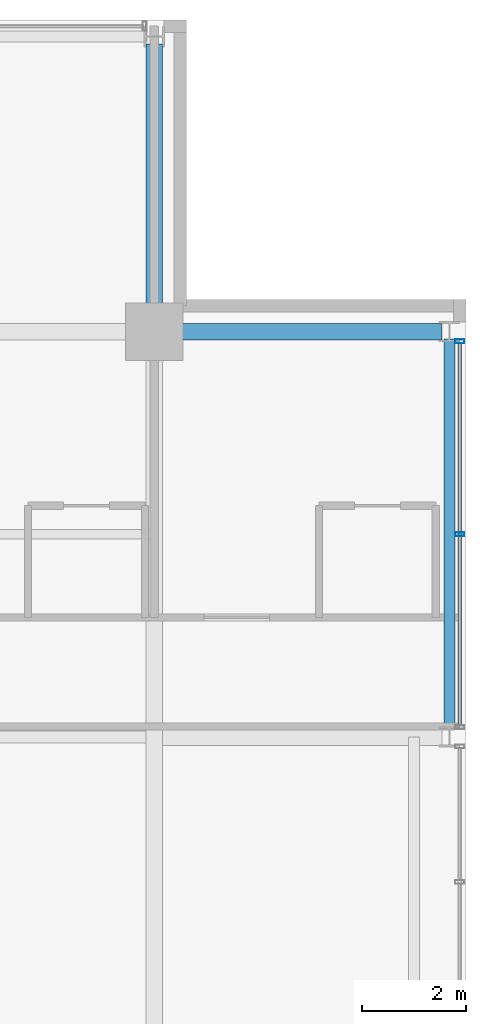
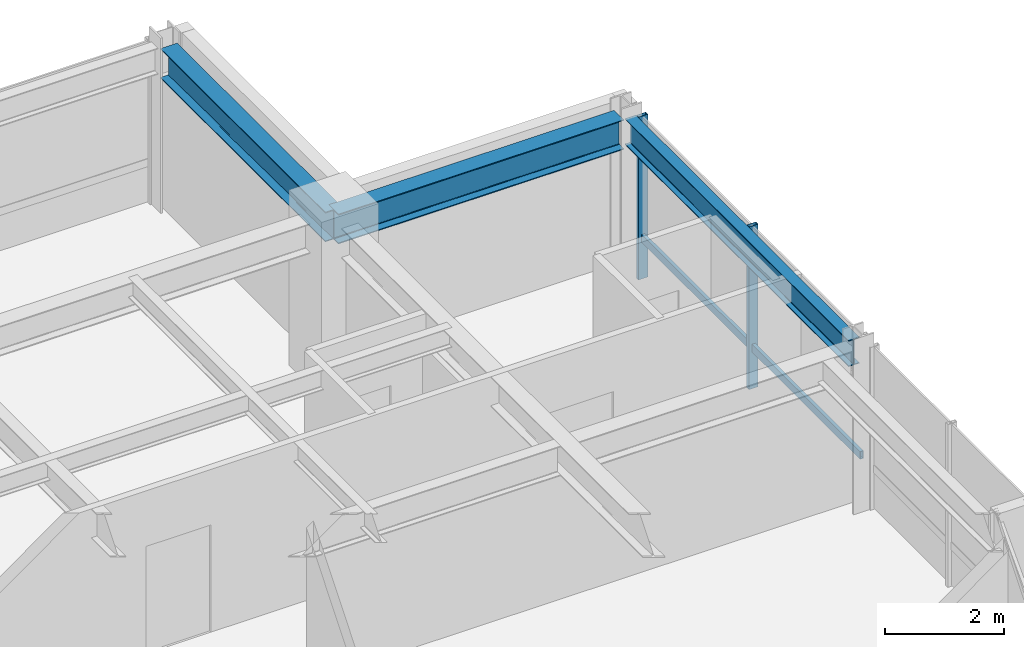
# One storey, part 23 of 32: 3 beams, 3 members, 1 element without a shape of its own.
"""IFC4 building model written with IfcOpenShell, lengths in metres."""

from ifc_helpers import new_model, si_unit, direction, frame, origin, origin_2d, place, context, subcontext, project, spatial, hollow_rectangle, i_section, extrude, material, layer, layer_set, material_profile, profile_set, type_object, element, aggregate, save


model = new_model("IFC4")

# Units and contexts
model_context = context("Model", 3, precision=1e-05, world=origin(), true_north=direction((0.0, 1.0)))
body_context = subcontext(model_context, "Body", "Model", "MODEL_VIEW")
ifc_project = project(units=[si_unit("LENGTHUNIT", "METRE"), si_unit("AREAUNIT", "SQUARE_METRE"), si_unit("VOLUMEUNIT", "CUBIC_METRE"), si_unit("PLANEANGLEUNIT", "RADIAN"), si_unit("MASSUNIT", "GRAM", prefix="KILO")], contexts=[model_context])

# Site, building, storey
site_placement = place(None, origin())
site = spatial("IfcSite", under=ifc_project, at=site_placement, CompositionType="ELEMENT")
building_placement = place(site_placement, origin())
building = spatial("IfcBuilding", under=site, at=building_placement, Name="Drelvath Grand Hotel", CompositionType="ELEMENT")
storey_placement = place(building_placement, frame((0.0, 0.0, 226.699951171875)))
storey = spatial("IfcBuildingStorey", under=building, at=storey_placement, Name="L59", CompositionType="ELEMENT", Elevation=226.699951171875)

# Curtain wall, members
ifc_material_1 = material(Name="Platinum-Mist Anodised Aluminium Frame", Category="aluminium")
ifc_layer = layer(ifc_material_1, 0.199951171875)
ifc_layer_set = layer_set([ifc_layer], Name="Platinum-Mist Anodised Aluminium Frame")
curtain_wall_type = type_object("IfcCurtainWallType", Name="Stick Curtain Wall CW-05 Platinum Mist High-Rise", PredefinedType="NOTDEFINED", material=ifc_layer_set)
curtain_wall_placement = place(storey_placement, origin())
curtain_wall = element("IfcCurtainWall", 1, at=curtain_wall_placement, inside=storey, type_object=curtain_wall_type, Name="L59 CW-05 Curtain Wall CW05-L59-EN2", PredefinedType="NOTDEFINED")
ifc_material_profile_1 = material_profile(ifc_material_1, hollow_rectangle(XDim=0.06494140625, YDim=0.159912109375, WallThickness=0.00390625, at=origin_2d()), Name="HSS160X65X4")
ifc_profile_set_1 = profile_set([ifc_material_profile_1], Name="Platinum-Mist Anodised Aluminium Frame")
member_type_1 = type_object("IfcMemberType", Name="Curtain Wall Horizontal Transom CW-05 HSS160X65X4", PredefinedType="USERDEFINED", material=ifc_profile_set_1)
member_1_placement = place(storey_placement, frame((22.080078125, 42.974609375, 0.8349609375), z_axis=(0.0, -1.0, 0.0), x_axis=(1.0, 0.0, 0.0)))
member_1 = element("IfcMember", 2, at=member_1_placement, type_object=member_type_1, Name="CW05-L59-EN2 Sill Transom", ObjectType="TRANSOM", PredefinedType="USERDEFINED", context=body_context, shape_type="SweptSolid", body=[
    extrude(hollow_rectangle(XDim=0.06494140625, YDim=0.159912109375, WallThickness=0.00390625, at=origin_2d()), origin(), (0.0, 0.0, 1.0), 7.349365234375),
])
ifc_material_profile_2 = material_profile(ifc_material_1, hollow_rectangle(XDim=0.074951171875, YDim=0.179931640625, WallThickness=0.0048828125, at=origin_2d()), Name="HSS180X75X5")
ifc_profile_set_2 = profile_set([ifc_material_profile_2], Name="Platinum-Mist Anodised Aluminium Frame")
member_type_2 = type_object("IfcMemberType", Name="Curtain Wall Vertical Mullion CW-05 HSS180X75X5", PredefinedType="MULLION", material=ifc_profile_set_2)
member_2_placement = place(storey_placement, frame((22.080078125, 43.0146484375, 0.0), z_axis=(0.0, 0.0, 1.0), x_axis=(0.0, 1.0, 0.0)))
member_2 = element("IfcMember", 3, at=member_2_placement, type_object=member_type_2, Name="CW05-L59-EN2 Mullion 1", PredefinedType="MULLION", context=body_context, shape_type="SweptSolid", body=[
    extrude(hollow_rectangle(XDim=0.074951171875, YDim=0.179931640625, WallThickness=0.0048828125, at=origin_2d()), origin(), (0.0, 0.0, 1.0), 3.340087890625),
])
member_3_placement = place(storey_placement, frame((22.080078125, 39.300048828125, 0.0), z_axis=(0.0, 0.0, 1.0), x_axis=(0.0, 1.0, 0.0)))
member_3 = element("IfcMember", 4, at=member_3_placement, type_object=member_type_2, Name="CW05-L59-EN2 Mullion 2", PredefinedType="MULLION", context=body_context, shape_type="SweptSolid", body=[
    extrude(hollow_rectangle(XDim=0.074951171875, YDim=0.179931640625, WallThickness=0.0048828125, at=origin_2d()), origin(), (0.0, 0.0, 1.0), 3.340087890625),
])
aggregate(curtain_wall, [member_2, member_3, member_1])

# Beams
ifc_material_2 = material(Name="Steel ASTM A992 Gr 50", Category="steel")
ifc_material_profile_3 = material_profile(ifc_material_2, i_section(OverallWidth=0.210205078125, OverallDepth=0.53662109375, WebThickness=0.010986328125, FlangeThickness=0.017333984375, FilletRadius=0.01806640625, at=origin_2d()), Name="W21X68")
ifc_profile_set_3 = profile_set([ifc_material_profile_3], Name="Steel ASTM A992 Gr 50")
beam_type_1 = type_object("IfcBeamType", Name="Perimeter Spandrel Beam W21X68", PredefinedType="SPANDREL", material=ifc_profile_set_3)
beam_placement = place(storey_placement, frame((21.8798828125, 35.5400390625, 3.071533203125), z_axis=(0.0, 1.0, 0.0), x_axis=(-1.0, 0.0, 0.0)))
element("IfcBeam", 5, at=beam_placement, inside=storey, type_object=beam_type_1, Name="L59 Spandrel East N", PredefinedType="SPANDREL", context=body_context, shape_type="SweptSolid", body=[
    extrude(i_section(OverallWidth=0.210205078125, OverallDepth=0.53662109375, WebThickness=0.010986328125, FlangeThickness=0.017333984375, FilletRadius=0.01806640625, at=origin_2d()), origin(), (0.0, 0.0, 1.0), 7.52001953125),
])
ifc_material_profile_4 = material_profile(ifc_material_2, i_section(OverallWidth=0.323974609375, OverallDepth=0.611083984375, WebThickness=0.0126953125, FlangeThickness=0.01904296875, FilletRadius=0.02197265625, at=origin_2d()), Name="W24X104")
ifc_profile_set_4 = profile_set([ifc_material_profile_4], Name="Steel ASTM A992 Gr 50")
beam_type_2 = type_object("IfcBeamType", Name="Primary Floor Girder W24X104", PredefinedType="BEAM", material=ifc_profile_set_4)
for number, where, z_axis, x_axis, name in (
    (6, (16.199951171875, 43.199951171875, 3.034423828125), (1.0, 0.0, 0.0), (0.0, 1.0, 0.0), "L59 East Grid Girder G"),
    (7, (16.199951171875, 43.199951171875, 3.034423828125), (0.0, 1.0, 0.0), (-1.0, 0.0, 0.0), "L59 North Grid Girder 7"),
):
    element("IfcBeam", number, at=place(storey_placement, frame(where, z_axis=z_axis, x_axis=x_axis)), inside=storey, type_object=beam_type_2, Name=name, PredefinedType="BEAM", context=body_context, shape_type="SweptSolid", body=[
        extrude(i_section(OverallWidth=0.323974609375, OverallDepth=0.611083984375, WebThickness=0.0126953125, FlangeThickness=0.01904296875, FilletRadius=0.02197265625, at=origin_2d()), origin(), (0.0, 0.0, 1.0), 5.5400390625),
    ])

save(model, "model.ifc")
